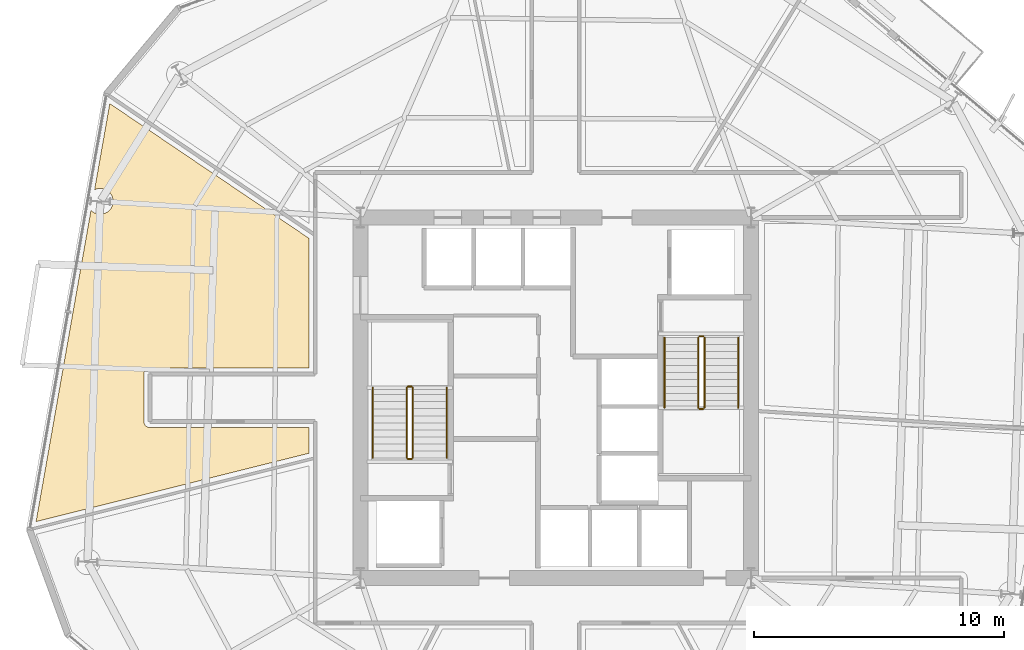
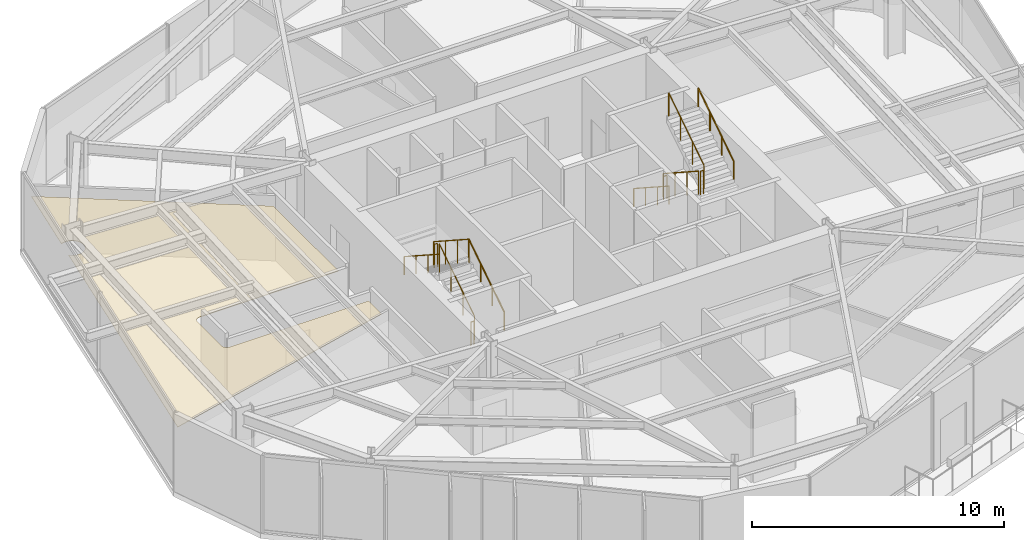
# One storey, part 11 of 13: 12 railings, 1 covering.
"""IFC4 building model written with IfcOpenShell, lengths in metres."""

from ifc_helpers import new_model, si_unit, direction, frame, origin, origin_2d, place, context, subcontext, project, spatial, polyline, circle, outline, extrude, material, layer, layer_set, type_object, element, save


model = new_model("IFC4")

# Units and contexts
model_context = context("Model", 3, precision=1e-05, world=origin(), true_north=direction((0.0, 1.0)))
body_context = subcontext(model_context, "Body", "Model", "MODEL_VIEW")
ifc_project = project(units=[si_unit("LENGTHUNIT", "METRE"), si_unit("AREAUNIT", "SQUARE_METRE"), si_unit("VOLUMEUNIT", "CUBIC_METRE"), si_unit("PLANEANGLEUNIT", "RADIAN"), si_unit("MASSUNIT", "GRAM", prefix="KILO")], contexts=[model_context])

# Site, building, storey
site_placement = place(None, origin())
site = spatial("IfcSite", under=ifc_project, at=site_placement, CompositionType="ELEMENT")
building_placement = place(site_placement, origin())
building = spatial("IfcBuilding", under=site, at=building_placement, Name="Kranzbogen Civic Tower", CompositionType="ELEMENT")
storey_placement = place(building_placement, frame((0.0, 0.0, 102.39990234375)))
storey = spatial("IfcBuildingStorey", under=building, at=storey_placement, Name="L24", CompositionType="ELEMENT", Elevation=102.39990234375)

# Railings
ifc_material_1 = material(Name="Steel S355", Category="steel")
railing_type_1 = type_object("IfcRailingType", Name="Internal Stair and Void Steel Guardrail 1150", PredefinedType="GUARDRAIL", material=ifc_material_1)
railing_1_placement = place(storey_placement, frame((19.300048828125, 22.60009765625, 0.181884765625)))
element("IfcRailing", 1, at=railing_1_placement, inside=storey, type_object=railing_type_1, Name="L24 ST-T1 stair guard 1", PredefinedType="GUARDRAIL", context=body_context, shape_type="SweptSolid", body=[
    extrude(circle(Radius=0.02392578125, at=origin_2d()), frame((0.0, 0.0, 1.1259765625), z_axis=(0.0, 0.83868413941, 0.544618136222), x_axis=(-1.0, 0.0, 0.0)), (0.0, 0.0, 1.0), 3.33837890625),
    extrude(circle(Radius=0.02099609375, at=origin_2d()), origin(), (0.0, 0.0, 1.0), 1.101806640625),
    extrude(circle(Radius=0.02099609375, at=origin_2d()), frame((0.0, 0.933349609375, 0.60595703125)), (0.0, 0.0, 1.0), 1.101806640625),
    extrude(circle(Radius=0.02099609375, at=origin_2d()), frame((0.0, 1.866455078125, 1.212158203125)), (0.0, 0.0, 1.0), 1.101806640625),
    extrude(circle(Radius=0.02099609375, at=origin_2d()), frame((0.0, 2.7998046875, 1.818115234375)), (0.0, 0.0, 1.0), 1.101806640625),
])
railing_2_placement = place(storey_placement, frame((19.25, 25.449951171875, 2.0)))
element("IfcRailing", 2, at=railing_2_placement, inside=storey, type_object=railing_type_1, Name="L24 ST-T1 stair guard 2", PredefinedType="GUARDRAIL", context=body_context, shape_type="SweptSolid", body=[
    extrude(circle(Radius=0.02392578125, at=origin_2d()), frame((0.0, 0.0, 1.1259765625), z_axis=(-1.0, 0.0, 0.0), x_axis=(0.0, -1.0, 0.0)), (0.0, 0.0, 1.0), 0.14990234375),
    extrude(circle(Radius=0.02099609375, at=origin_2d()), origin(), (0.0, 0.0, 1.0), 1.101806640625),
    extrude(circle(Radius=0.02099609375, at=origin_2d()), frame((-0.14990234375, 0.0, 0.0)), (0.0, 0.0, 1.0), 1.101806640625),
])
railing_3_placement = place(storey_placement, frame((19.050048828125, 25.39990234375, 2.181884765625)))
element("IfcRailing", 3, at=railing_3_placement, inside=storey, type_object=railing_type_1, Name="L24 ST-T1 stair guard 3", PredefinedType="GUARDRAIL", context=body_context, shape_type="SweptSolid", body=[
    extrude(circle(Radius=0.02392578125, at=origin_2d()), frame((0.0, 0.0, 1.1259765625), z_axis=(0.0, -0.83868413941, 0.544618136222), x_axis=(1.0, 0.0, 0.0)), (0.0, 0.0, 1.0), 3.33837890625),
    extrude(circle(Radius=0.02099609375, at=origin_2d()), origin(), (0.0, 0.0, 1.0), 1.101806640625),
    extrude(circle(Radius=0.02099609375, at=origin_2d()), frame((0.0, -0.933349609375, 0.60595703125)), (0.0, 0.0, 1.0), 1.101806640625),
    extrude(circle(Radius=0.02099609375, at=origin_2d()), frame((0.0, -1.866455078125, 1.212158203125)), (0.0, 0.0, 1.0), 1.101806640625),
    extrude(circle(Radius=0.02099609375, at=origin_2d()), frame((0.0, -2.7998046875, 1.818115234375)), (0.0, 0.0, 1.0), 1.101806640625),
])
railing_4_placement = place(storey_placement, frame((19.25, 22.550048828125, 0.0)))
element("IfcRailing", 4, at=railing_4_placement, inside=storey, type_object=railing_type_1, Name="L24 ST-T1 stair guard 4", PredefinedType="GUARDRAIL", context=body_context, shape_type="SweptSolid", body=[
    extrude(circle(Radius=0.02392578125, at=origin_2d()), frame((0.0, 0.0, 1.1259765625), z_axis=(-1.0, 0.0, 0.0), x_axis=(0.0, -1.0, 0.0)), (0.0, 0.0, 1.0), 0.14990234375),
    extrude(circle(Radius=0.02099609375, at=origin_2d()), origin(), (0.0, 0.0, 1.0), 1.101806640625),
    extrude(circle(Radius=0.02099609375, at=origin_2d()), frame((-0.14990234375, 0.0, 0.0)), (0.0, 0.0, 1.0), 1.101806640625),
])
railing_5_placement = place(storey_placement, frame((30.699951171875, 27.39990234375, 0.181884765625)))
element("IfcRailing", 5, at=railing_5_placement, inside=storey, type_object=railing_type_1, Name="L24 ST-T2 stair guard 1", PredefinedType="GUARDRAIL", context=body_context, shape_type="SweptSolid", body=[
    extrude(circle(Radius=0.02392578125, at=origin_2d()), frame((0.0, 0.0, 1.1259765625), z_axis=(0.0, -0.83868413941, 0.544618136222), x_axis=(1.0, 0.0, 0.0)), (0.0, 0.0, 1.0), 3.33837890625),
    extrude(circle(Radius=0.02099609375, at=origin_2d()), origin(), (0.0, 0.0, 1.0), 1.101806640625),
    extrude(circle(Radius=0.02099609375, at=origin_2d()), frame((0.0, -0.933349609375, 0.60595703125)), (0.0, 0.0, 1.0), 1.101806640625),
    extrude(circle(Radius=0.02099609375, at=origin_2d()), frame((0.0, -1.866455078125, 1.212158203125)), (0.0, 0.0, 1.0), 1.101806640625),
    extrude(circle(Radius=0.02099609375, at=origin_2d()), frame((0.0, -2.7998046875, 1.818115234375)), (0.0, 0.0, 1.0), 1.101806640625),
])
railing_6_placement = place(storey_placement, frame((30.75, 24.550048828125, 2.0)))
element("IfcRailing", 6, at=railing_6_placement, inside=storey, type_object=railing_type_1, Name="L24 ST-T2 stair guard 2", PredefinedType="GUARDRAIL", context=body_context, shape_type="SweptSolid", body=[
    extrude(circle(Radius=0.02392578125, at=origin_2d()), frame((0.0, 0.0, 1.1259765625), z_axis=(1.0, 0.0, 0.0), x_axis=(0.0, 1.0, 0.0)), (0.0, 0.0, 1.0), 0.14990234375),
    extrude(circle(Radius=0.02099609375, at=origin_2d()), origin(), (0.0, 0.0, 1.0), 1.101806640625),
    extrude(circle(Radius=0.02099609375, at=origin_2d()), frame((0.14990234375, 0.0, 0.0)), (0.0, 0.0, 1.0), 1.101806640625),
])
railing_7_placement = place(storey_placement, frame((30.949951171875, 24.60009765625, 2.181884765625)))
element("IfcRailing", 7, at=railing_7_placement, inside=storey, type_object=railing_type_1, Name="L24 ST-T2 stair guard 3", PredefinedType="GUARDRAIL", context=body_context, shape_type="SweptSolid", body=[
    extrude(circle(Radius=0.02392578125, at=origin_2d()), frame((0.0, 0.0, 1.1259765625), z_axis=(0.0, 0.83868413941, 0.544618136222), x_axis=(-1.0, 0.0, 0.0)), (0.0, 0.0, 1.0), 3.33837890625),
    extrude(circle(Radius=0.02099609375, at=origin_2d()), origin(), (0.0, 0.0, 1.0), 1.101806640625),
    extrude(circle(Radius=0.02099609375, at=origin_2d()), frame((0.0, 0.933349609375, 0.60595703125)), (0.0, 0.0, 1.0), 1.101806640625),
    extrude(circle(Radius=0.02099609375, at=origin_2d()), frame((0.0, 1.866455078125, 1.212158203125)), (0.0, 0.0, 1.0), 1.101806640625),
    extrude(circle(Radius=0.02099609375, at=origin_2d()), frame((0.0, 2.7998046875, 1.818115234375)), (0.0, 0.0, 1.0), 1.101806640625),
])
railing_8_placement = place(storey_placement, frame((30.75, 27.449951171875, 0.0)))
element("IfcRailing", 8, at=railing_8_placement, inside=storey, type_object=railing_type_1, Name="L24 ST-T2 stair guard 4", PredefinedType="GUARDRAIL", context=body_context, shape_type="SweptSolid", body=[
    extrude(circle(Radius=0.02392578125, at=origin_2d()), frame((0.0, 0.0, 1.1259765625), z_axis=(1.0, 0.0, 0.0), x_axis=(0.0, 1.0, 0.0)), (0.0, 0.0, 1.0), 0.14990234375),
    extrude(circle(Radius=0.02099609375, at=origin_2d()), origin(), (0.0, 0.0, 1.0), 1.101806640625),
    extrude(circle(Radius=0.02099609375, at=origin_2d()), frame((0.14990234375, 0.0, 0.0)), (0.0, 0.0, 1.0), 1.101806640625),
])

# Covering
ifc_material_2 = material(Name="Perforated Acoustic Gypsum Ceiling")
ifc_layer = layer(ifc_material_2, 0.02490234375, Name="Perforated Acoustic Gypsum Ceiling")
ifc_layer_set = layer_set([ifc_layer], Name="Perforated Acoustic Gypsum Ceiling")
covering_type = type_object("IfcCoveringType", Name="Perforated Acoustic Mineral Ceiling Tile 25 mm", PredefinedType="CEILING", material=ifc_layer_set)
covering_placement = place(storey_placement, frame((0.0, 0.0, 2.75)))
element("IfcCovering", 9, at=covering_placement, inside=storey, type_object=covering_type, Name="L24 Staff Tea Pantry acoustic ceiling", PredefinedType="CEILING", context=body_context, shape_type="SweptSolid", body=[
    extrude(outline(polyline([(15.155029296875, 31.364013671875), (15.155029296875, 26.195068359375), (8.800048828125, 26.195068359375), (8.791015625, 26.195068359375), (8.784912109375, 26.194091796875), (8.76708984375, 26.193115234375), (8.760986328125, 26.19189453125), (8.743896484375, 26.18798828125), (8.737060546875, 26.18701171875), (8.719970703125, 26.181884765625), (8.714111328125, 26.179931640625), (8.697998046875, 26.173095703125), (8.69189453125, 26.169921875), (8.677001953125, 26.162109375), (8.6708984375, 26.157958984375), (8.656982421875, 26.14892578125), (8.652099609375, 26.14501953125), (8.637939453125, 26.134033203125), (8.633056640625, 26.12890625), (8.62109375, 26.116943359375), (8.615966796875, 26.112060546875), (8.60498046875, 26.097900390625), (8.60107421875, 26.093017578125), (8.592041015625, 26.0791015625), (8.587890625, 26.072998046875), (8.580078125, 26.05810546875), (8.576904296875, 26.052001953125), (8.570068359375, 26.035888671875), (8.568115234375, 26.030029296875), (8.56298828125, 26.012939453125), (8.56201171875, 26.006103515625), (8.55810546875, 25.989013671875), (8.556884765625, 25.98291015625), (8.555908203125, 25.965087890625), (8.554931640625, 25.958984375), (8.554931640625, 25.949951171875), (8.554931640625, 24.050048828125), (8.554931640625, 24.041015625), (8.555908203125, 24.034912109375), (8.556884765625, 24.01708984375), (8.55810546875, 24.010986328125), (8.56201171875, 23.993896484375), (8.56298828125, 23.987060546875), (8.568115234375, 23.969970703125), (8.570068359375, 23.964111328125), (8.576904296875, 23.947998046875), (8.580078125, 23.94189453125), (8.587890625, 23.927001953125), (8.592041015625, 23.9208984375), (8.60107421875, 23.906982421875), (8.60498046875, 23.902099609375), (8.615966796875, 23.887939453125), (8.62109375, 23.883056640625), (8.633056640625, 23.87109375), (8.637939453125, 23.865966796875), (8.652099609375, 23.85498046875), (8.656982421875, 23.85107421875), (8.6708984375, 23.842041015625), (8.677001953125, 23.837890625), (8.69189453125, 23.830078125), (8.697998046875, 23.826904296875), (8.714111328125, 23.820068359375), (8.719970703125, 23.818115234375), (8.737060546875, 23.81298828125), (8.743896484375, 23.81201171875), (8.760986328125, 23.80810546875), (8.76708984375, 23.806884765625), (8.784912109375, 23.805908203125), (8.791015625, 23.804931640625), (8.800048828125, 23.804931640625), (15.155029296875, 23.804931640625), (15.155029296875, 22.783935546875), (4.25, 20.050048828125), (6.443115234375, 32.487060546875), (6.448974609375, 32.47998046875), (6.487060546875, 32.446044921875), (6.527099609375, 32.416015625), (6.571044921875, 32.389892578125), (6.615966796875, 32.368896484375), (6.6640625, 32.35205078125), (6.712890625, 32.340087890625), (6.762939453125, 32.33203125), (6.81298828125, 32.330078125), (6.863037109375, 32.33203125), (6.9130859375, 32.340087890625), (6.9619140625, 32.35205078125), (7.010009765625, 32.368896484375), (7.054931640625, 32.389892578125), (7.09912109375, 32.416015625), (7.138916015625, 32.446044921875), (7.177001953125, 32.47998046875), (7.2109375, 32.51806640625), (7.240966796875, 32.55810546875), (7.26708984375, 32.60205078125), (7.2880859375, 32.64697265625), (7.304931640625, 32.695068359375), (7.31689453125, 32.743896484375), (7.324951171875, 32.7939453125), (7.326904296875, 32.843994140625), (7.324951171875, 32.89404296875), (7.31689453125, 32.944091796875), (7.304931640625, 32.992919921875), (7.2880859375, 33.041015625), (7.26708984375, 33.0859375), (7.240966796875, 33.1298828125), (7.2109375, 33.169921875), (7.177001953125, 33.2080078125), (7.138916015625, 33.241943359375), (7.09912109375, 33.27197265625), (7.054931640625, 33.298095703125), (7.010009765625, 33.319091796875), (6.9619140625, 33.3359375), (6.9130859375, 33.347900390625), (6.863037109375, 33.35595703125), (6.81298828125, 33.35791015625), (6.762939453125, 33.35595703125), (6.712890625, 33.347900390625), (6.6640625, 33.3359375), (6.615966796875, 33.319091796875), (6.5869140625, 33.304931640625), (7.194091796875, 36.748046875), (15.155029296875, 31.364013671875)])), origin(), (0.0, 0.0, 1.0), 0.025146484375),
])

# Railings
ifc_material_3 = material(Name="Pale Anodised Aluminium", Category="aluminium")
railing_type_2 = type_object("IfcRailingType", Name="Tubular Stainless Stair Wall Handrail 900", PredefinedType="HANDRAIL", material=ifc_material_3)
railing_9_placement = place(storey_placement, frame((20.64990234375, 22.60009765625, 0.181884765625)))
element("IfcRailing", 10, at=railing_9_placement, inside=storey, type_object=railing_type_2, Name="L24 ST-T1 stair handrail 1", PredefinedType="HANDRAIL", context=body_context, shape_type="SweptSolid", body=[
    extrude(circle(Radius=0.02392578125, at=origin_2d()), frame((0.0, 0.0, 0.8759765625), z_axis=(0.0, 0.83868413941, 0.544618136222), x_axis=(-1.0, 0.0, 0.0)), (0.0, 0.0, 1.0), 3.33837890625),
    extrude(circle(Radius=0.02099609375, at=origin_2d()), origin(), (0.0, 0.0, 1.0), 0.851806640625),
    extrude(circle(Radius=0.02099609375, at=origin_2d()), frame((0.0, 0.933349609375, 0.60595703125)), (0.0, 0.0, 1.0), 0.851806640625),
    extrude(circle(Radius=0.02099609375, at=origin_2d()), frame((0.0, 1.866455078125, 1.212158203125)), (0.0, 0.0, 1.0), 0.851806640625),
    extrude(circle(Radius=0.02099609375, at=origin_2d()), frame((0.0, 2.7998046875, 1.818115234375)), (0.0, 0.0, 1.0), 0.851806640625),
])
for number, where, name in (
    (11, (17.699951171875, 25.39990234375, 2.181884765625), "L24 ST-T1 stair handrail 2"),
    (12, (29.35009765625, 27.39990234375, 0.181884765625), "L24 ST-T2 stair handrail 1"),
):
    element("IfcRailing", number, at=place(storey_placement, frame(where)), inside=storey, type_object=railing_type_2, Name=name, PredefinedType="HANDRAIL", context=body_context, shape_type="SweptSolid", body=[
        extrude(circle(Radius=0.02392578125, at=origin_2d()), frame((0.0, 0.0, 0.8759765625), z_axis=(0.0, -0.83868413941, 0.544618136222), x_axis=(1.0, 0.0, 0.0)), (0.0, 0.0, 1.0), 3.33837890625),
        extrude(circle(Radius=0.02099609375, at=origin_2d()), origin(), (0.0, 0.0, 1.0), 0.851806640625),
        extrude(circle(Radius=0.02099609375, at=origin_2d()), frame((0.0, -0.933349609375, 0.60595703125)), (0.0, 0.0, 1.0), 0.851806640625),
        extrude(circle(Radius=0.02099609375, at=origin_2d()), frame((0.0, -1.866455078125, 1.212158203125)), (0.0, 0.0, 1.0), 0.851806640625),
        extrude(circle(Radius=0.02099609375, at=origin_2d()), frame((0.0, -2.7998046875, 1.818115234375)), (0.0, 0.0, 1.0), 0.851806640625),
    ])
railing_10_placement = place(storey_placement, frame((32.300048828125, 24.60009765625, 2.181884765625)))
element("IfcRailing", 13, at=railing_10_placement, inside=storey, type_object=railing_type_2, Name="L24 ST-T2 stair handrail 2", PredefinedType="HANDRAIL", context=body_context, shape_type="SweptSolid", body=[
    extrude(circle(Radius=0.02392578125, at=origin_2d()), frame((0.0, 0.0, 0.8759765625), z_axis=(0.0, 0.83868413941, 0.544618136222), x_axis=(-1.0, 0.0, 0.0)), (0.0, 0.0, 1.0), 3.33837890625),
    extrude(circle(Radius=0.02099609375, at=origin_2d()), origin(), (0.0, 0.0, 1.0), 0.851806640625),
    extrude(circle(Radius=0.02099609375, at=origin_2d()), frame((0.0, 0.933349609375, 0.60595703125)), (0.0, 0.0, 1.0), 0.851806640625),
    extrude(circle(Radius=0.02099609375, at=origin_2d()), frame((0.0, 1.866455078125, 1.212158203125)), (0.0, 0.0, 1.0), 0.851806640625),
    extrude(circle(Radius=0.02099609375, at=origin_2d()), frame((0.0, 2.7998046875, 1.818115234375)), (0.0, 0.0, 1.0), 0.851806640625),
])

save(model, "model.ifc")
